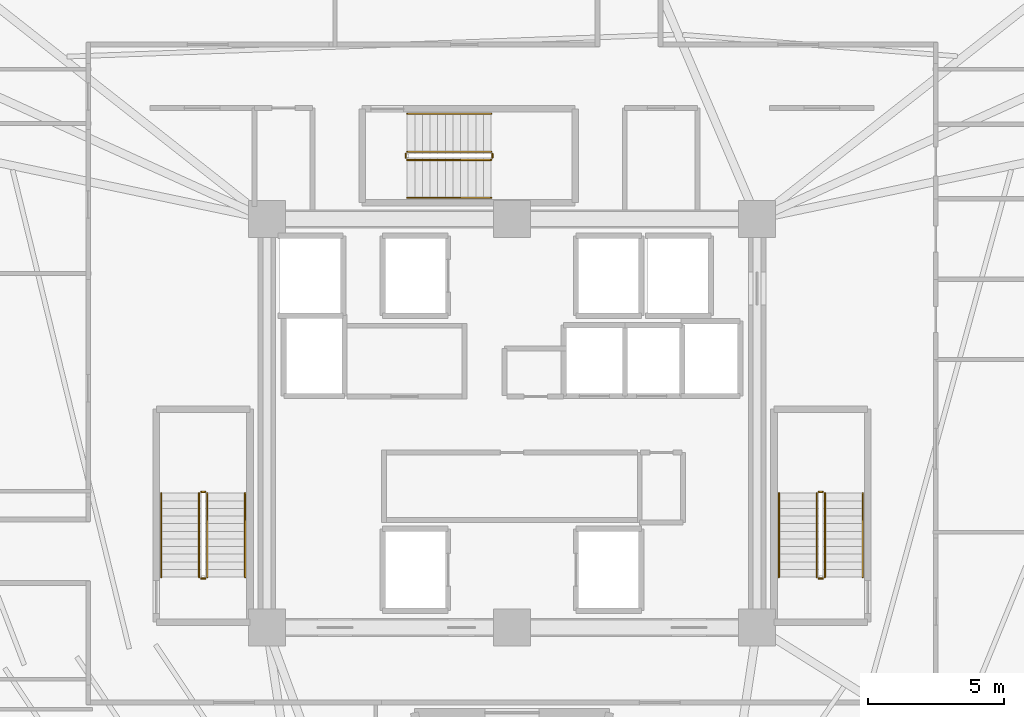
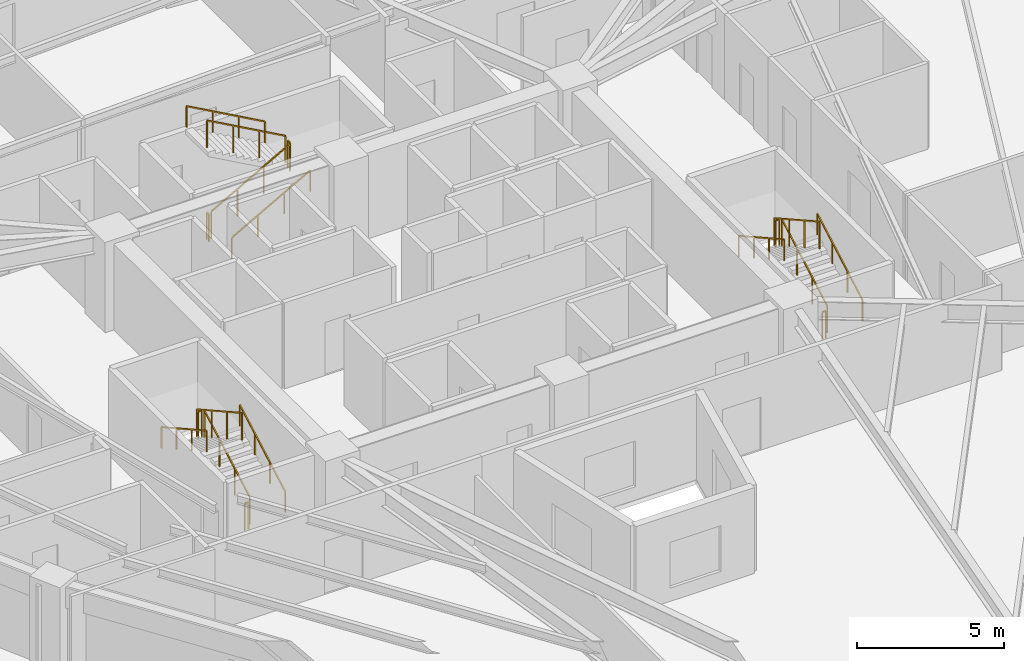
# One storey, part 8 of 8: 18 railings.
"""IFC4 building model written with IfcOpenShell, lengths in metres."""

import ifcopenshell
import ifcopenshell.guid

model = None  # the IFC model being written
_history = None  # IfcOwnerHistory: only IFC2X3 demands one
_inside = {}  # id of a spatial element -> (the spatial element, [elements in it])
_under = {}  # id of a project, library or spatial element -> (it, [spatial elements below it])
_declared = {}  # id of a project -> (the project, [libraries it declares])
_typed = {}  # id of a type object -> (the type object, [elements of that type])
_made_of = {}  # id of a material, layer set ... -> (it, [elements and type objects made of it])


def new_model(schema):
    """Start an empty IFC model of exactly this schema.

    Asked for "IFC4X3", IfcOpenShell would pick the latest addendum, in which some entities
    have other attributes; the version numbers below select the first issue.
    IFC2X3 requires an IfcOwnerHistory on every rooted entity: one is made here for all.
    """
    global model, _history
    if schema == "IFC4X3":
        model = ifcopenshell.file(schema_version=(4, 3, 0, 0))
    else:
        model = ifcopenshell.file(schema=schema)
    _inside.clear()
    _under.clear()
    _declared.clear()
    _typed.clear()
    _made_of.clear()
    _history = None
    if model.schema == "IFC2X3":
        org = make("IfcOrganization", Name="unknown")
        user = make(
            "IfcPersonAndOrganization",
            ThePerson=make("IfcPerson", FamilyName="unknown"),
            TheOrganization=org,
        )
        app = make(
            "IfcApplication",
            ApplicationDeveloper=org,
            Version="unknown",
            ApplicationFullName="unknown",
            ApplicationIdentifier="unknown",
        )
        _history = make(
            "IfcOwnerHistory",
            OwningUser=user,
            OwningApplication=app,
            ChangeAction="ADDED",
            CreationDate=0,
        )
    return model


def make(cls, **values):
    """One entity of the class cls with the attributes given. An attribute that is None is left unset."""
    return model.create_entity(
        cls, **{name: value for name, value in values.items() if value is not None}
    )


def rooted(cls, **values):
    """An entity with a GlobalId (a new one), such as an element, a storey or a relation."""
    return make(cls, GlobalId=ifcopenshell.guid.new(), OwnerHistory=_history, **values)


def si_unit(unit_type, name, prefix=None):
    """IfcSIUnit, for example si_unit("LENGTHUNIT", "METRE", prefix="MILLI")."""
    return make("IfcSIUnit", UnitType=unit_type, Prefix=prefix, Name=name)


def assignment(units):
    """IfcUnitAssignment: the units of a project."""
    return None if units is None else make("IfcUnitAssignment", Units=units)


def point(xyz):
    """IfcCartesianPoint."""
    return None if xyz is None else make("IfcCartesianPoint", Coordinates=xyz)


def direction(xyz):
    """IfcDirection."""
    return None if xyz is None else make("IfcDirection", DirectionRatios=xyz)


def frame(location, z_axis=None, x_axis=None):
    """IfcAxis2Placement3D, a coordinate frame: its origin and axes. An axis left out is left unset."""
    return make(
        "IfcAxis2Placement3D",
        Location=point(location),
        Axis=direction(z_axis),
        RefDirection=direction(x_axis),
    )


def frame_2d(location, x_axis=None):
    """IfcAxis2Placement2D, a coordinate frame in the plane: its origin and x axis."""
    return make(
        "IfcAxis2Placement2D", Location=point(location), RefDirection=direction(x_axis)
    )


def origin():
    """The frame at (0, 0, 0) with its axes left unset."""
    return frame((0.0, 0.0, 0.0))


def origin_2d():
    """The frame at (0, 0) in the plane with its x axis left unset."""
    return frame_2d((0.0, 0.0))


def place(relative_to, where):
    """IfcLocalPlacement: puts the frame where relative to a parent placement (None: the world)."""
    return make(
        "IfcLocalPlacement", PlacementRelTo=relative_to, RelativePlacement=where
    )


def context(
    kind, dimensions, precision=None, world=None, true_north=None, identifier=None
):
    """IfcGeometricRepresentationContext, for example the 3D "Model" context."""
    return make(
        "IfcGeometricRepresentationContext",
        ContextIdentifier=identifier,
        ContextType=kind,
        CoordinateSpaceDimension=dimensions,
        Precision=precision,
        WorldCoordinateSystem=world,
        TrueNorth=true_north,
    )


def subcontext(parent, identifier, kind, view, scale=None):
    """IfcGeometricRepresentationSubContext, for example "Body" below "Model"."""
    return make(
        "IfcGeometricRepresentationSubContext",
        ContextIdentifier=identifier,
        ContextType=kind,
        ParentContext=parent,
        TargetScale=scale,
        TargetView=view,
    )


def project(units=None, contexts=None):
    """IfcProject with its units and contexts."""
    return rooted(
        "IfcProject",
        Name="project",
        RepresentationContexts=contexts,
        UnitsInContext=assignment(units),
    )


def spatial(cls, under=None, at=None, **own):
    """A site, building, storey or space (cls), placed at a placement, below another one or the project."""
    s = rooted(cls, ObjectPlacement=at, **own)
    if under is not None:
        _under.setdefault(under.id(), (under, []))[1].append(s)
    return s


def profile(cls, at=None, kind="AREA", **sizes):
    """A parametric profile (cls). Its sizes go by their IFC names, for example OverallWidth=200.0."""
    return make(cls, ProfileType=kind, Position=at, **sizes)


def rectangle(**sizes):
    """IfcRectangleProfileDef."""
    return profile("IfcRectangleProfileDef", **sizes)


def extrude(swept, where, along, depth):
    """IfcExtrudedAreaSolid: the profile swept, set in the frame where, extruded along a direction by depth."""
    return make(
        "IfcExtrudedAreaSolid",
        SweptArea=swept,
        Position=where,
        ExtrudedDirection=direction(along),
        Depth=depth,
    )


def shape(context_of_items, identifier, shape_type, items):
    """IfcShapeRepresentation: the items that make up one representation, for example the "Body"."""
    return make(
        "IfcShapeRepresentation",
        ContextOfItems=context_of_items,
        RepresentationIdentifier=identifier,
        RepresentationType=shape_type,
        Items=items,
    )


def material(Name=None, Category=None):
    """IfcMaterial."""
    return make("IfcMaterial", Name=Name, Category=Category)


def made_of(thing, what):
    """Note that an element or type object is made of a material, layer set ...; save() writes the relation."""
    if what is not None:
        _made_of.setdefault(what.id(), (what, []))[1].append(thing)
    return thing


def type_object(cls, material=None, **own):
    """A type object (cls), such as IfcWallType, which elements share."""
    return made_of(rooted(cls, **own), material)


def element(
    cls,
    number,
    at=None,
    inside=None,
    cuts=None,
    type_object=None,
    material=None,
    context=None,
    identifier="Body",
    shape_type=None,
    held_by="IfcProductDefinitionShape",
    body=None,
    shapes=None,
    **own,
):
    """One element of the class cls, such as IfcWall. Its Tag is "e" and its number.

    at: its placement. inside: the storey or other place that contains it. cuts: it is an
    opening in that element (IfcRelVoidsElement). A single representation is given by context,
    identifier, shape_type and body (its items); several are given by shapes. held_by: the class
    of the entity that holds the representations. save() writes the other relations.
    """
    e = rooted(cls, Tag="e%d" % number, ObjectPlacement=at, **own)
    if body is not None:
        shapes = [shape(context, identifier, shape_type, body)]
    if shapes is not None:
        e.Representation = make(held_by, Representations=shapes)
    if inside is not None:
        _inside.setdefault(inside.id(), (inside, []))[1].append(e)
    if cuts is not None:
        rooted(
            "IfcRelVoidsElement", RelatingBuildingElement=cuts, RelatedOpeningElement=e
        )
    if type_object is not None:
        _typed.setdefault(type_object.id(), (type_object, []))[1].append(e)
    return made_of(e, material)


def aggregate(whole, parts):
    """IfcRelAggregates: a whole, such as a stair, and the parts it consists of."""
    return rooted("IfcRelAggregates", RelatingObject=whole, RelatedObjects=parts)


def save(model, path):
    """Write the relations noted so far, then the file.

    IfcRelAggregates (storeys below a building ...), IfcRelContainedInSpatialStructure (elements
    in a storey), IfcRelDefinesByType, IfcRelAssociatesMaterial and IfcRelDeclares: one each for
    every whole, place, type object, material and project.
    """
    for whole, parts in _under.values():
        aggregate(whole, parts)
    for where, things in _inside.values():
        rooted(
            "IfcRelContainedInSpatialStructure",
            RelatedElements=things,
            RelatingStructure=where,
        )
    for kind, things in _typed.values():
        rooted("IfcRelDefinesByType", RelatedObjects=things, RelatingType=kind)
    for what, things in _made_of.values():
        rooted("IfcRelAssociatesMaterial", RelatedObjects=things, RelatingMaterial=what)
    for by, libraries in _declared.values():
        rooted("IfcRelDeclares", RelatingContext=by, RelatedDefinitions=libraries)
    model.write(path)


model = new_model("IFC4")

# Units and contexts
model_context = context("Model", 3, precision=1e-05, world=origin(), true_north=direction((0.0, 1.0)))
body_context = subcontext(model_context, "Body", "Model", "MODEL_VIEW")
ifc_project = project(units=[si_unit("LENGTHUNIT", "METRE"), si_unit("AREAUNIT", "SQUARE_METRE"), si_unit("VOLUMEUNIT", "CUBIC_METRE"), si_unit("PLANEANGLEUNIT", "RADIAN"), si_unit("MASSUNIT", "GRAM", prefix="KILO")], contexts=[model_context])

# Site, building, storey
site_placement = place(None, origin())
site = spatial("IfcSite", under=ifc_project, at=site_placement, CompositionType="ELEMENT")
building_placement = place(site_placement, origin())
building = spatial("IfcBuilding", under=site, at=building_placement, Name="Liaohun Quay Tower", CompositionType="ELEMENT")
storey_placement = place(building_placement, frame((0.0, 0.0, 270.0)))
storey = spatial("IfcBuildingStorey", under=building, at=storey_placement, Name="L70", CompositionType="ELEMENT", Elevation=270.0)

# Railings
ifc_material_1 = material(Name="Painted tubular steel", Category="steel")
railing_type_1 = type_object("IfcRailingType", Name="RLG-GUARD-STR", PredefinedType="GUARDRAIL", material=ifc_material_1)
railing_1_placement = place(storey_placement, frame((48.81005859375, 48.35009765625, 0.15625)))
element("IfcRailing", 1, at=railing_1_placement, inside=storey, type_object=railing_type_1, Name="L70 ST-1 stair guard 1", PredefinedType="GUARDRAIL", context=body_context, shape_type="SweptSolid", body=[
    extrude(rectangle(XDim=0.048095703125, YDim=0.048095703125, at=origin_2d()), frame((0.0, 0.0, 1.1259765625), z_axis=(0.0, 0.873225103656, 0.487317061414), x_axis=(-1.0, 0.0, 0.0)), (0.0, 0.0, 1.0), 3.52685546875),
    extrude(rectangle(XDim=0.0419921875, YDim=0.0419921875, at=origin_2d()), origin(), (0.0, 0.0, 1.0), 1.101806640625),
    extrude(rectangle(XDim=0.0419921875, YDim=0.0419921875, at=origin_2d()), frame((0.0, 1.026611328125, 0.572998046875)), (0.0, 0.0, 1.0), 1.101806640625),
    extrude(rectangle(XDim=0.0419921875, YDim=0.0419921875, at=origin_2d()), frame((0.0, 2.05322265625, 1.145751953125)), (0.0, 0.0, 1.0), 1.101806640625),
    extrude(rectangle(XDim=0.0419921875, YDim=0.0419921875, at=origin_2d()), frame((0.0, 3.079833984375, 1.71875)), (0.0, 0.0, 1.0), 1.101806640625),
])
railing_2_placement = place(storey_placement, frame((48.72998046875, 51.47998046875, 1.875)))
element("IfcRailing", 2, at=railing_2_placement, inside=storey, type_object=railing_type_1, Name="L70 ST-1 stair guard 2", PredefinedType="GUARDRAIL", context=body_context, shape_type="SweptSolid", body=[
    extrude(rectangle(XDim=0.048095703125, YDim=0.048095703125, at=origin_2d()), frame((0.0, 0.0, 1.1259765625), z_axis=(-1.0, 0.0, 0.0), x_axis=(0.0, -1.0, 0.0)), (0.0, 0.0, 1.0), 0.139892578125),
    extrude(rectangle(XDim=0.0419921875, YDim=0.0419921875, at=origin_2d()), origin(), (0.0, 0.0, 1.0), 1.101806640625),
    extrude(rectangle(XDim=0.0419921875, YDim=0.0419921875, at=origin_2d()), frame((-0.139892578125, 0.0, 0.0)), (0.0, 0.0, 1.0), 1.101806640625),
])
railing_3_placement = place(storey_placement, frame((48.510009765625, 51.429931640625, 2.03125)))
element("IfcRailing", 3, at=railing_3_placement, inside=storey, type_object=railing_type_1, Name="L70 ST-1 stair guard 3", PredefinedType="GUARDRAIL", context=body_context, shape_type="SweptSolid", body=[
    extrude(rectangle(XDim=0.048095703125, YDim=0.048095703125, at=origin_2d()), frame((0.0, 0.0, 1.1259765625), z_axis=(0.0, -0.873225103656, 0.487317061414), x_axis=(1.0, 0.0, 0.0)), (0.0, 0.0, 1.0), 3.52685546875),
    extrude(rectangle(XDim=0.0419921875, YDim=0.0419921875, at=origin_2d()), origin(), (0.0, 0.0, 1.0), 1.101806640625),
    extrude(rectangle(XDim=0.0419921875, YDim=0.0419921875, at=origin_2d()), frame((0.0, -1.026611328125, 0.572998046875)), (0.0, 0.0, 1.0), 1.101806640625),
    extrude(rectangle(XDim=0.0419921875, YDim=0.0419921875, at=origin_2d()), frame((0.0, -2.05322265625, 1.145751953125)), (0.0, 0.0, 1.0), 1.101806640625),
    extrude(rectangle(XDim=0.0419921875, YDim=0.0419921875, at=origin_2d()), frame((0.0, -3.079833984375, 1.71875)), (0.0, 0.0, 1.0), 1.101806640625),
])
railing_4_placement = place(storey_placement, frame((48.72998046875, 48.300048828125, 0.0)))
element("IfcRailing", 4, at=railing_4_placement, inside=storey, type_object=railing_type_1, Name="L70 ST-1 stair guard 4", PredefinedType="GUARDRAIL", context=body_context, shape_type="SweptSolid", body=[
    extrude(rectangle(XDim=0.048095703125, YDim=0.048095703125, at=origin_2d()), frame((0.0, 0.0, 1.1259765625), z_axis=(-1.0, 0.0, 0.0), x_axis=(0.0, -1.0, 0.0)), (0.0, 0.0, 1.0), 0.139892578125),
    extrude(rectangle(XDim=0.0419921875, YDim=0.0419921875, at=origin_2d()), origin(), (0.0, 0.0, 1.0), 1.101806640625),
    extrude(rectangle(XDim=0.0419921875, YDim=0.0419921875, at=origin_2d()), frame((-0.139892578125, 0.0, 0.0)), (0.0, 0.0, 1.0), 1.101806640625),
])
railing_5_placement = place(storey_placement, frame((71.489990234375, 48.35009765625, 0.15625)))
element("IfcRailing", 5, at=railing_5_placement, inside=storey, type_object=railing_type_1, Name="L70 ST-2 stair guard 1", PredefinedType="GUARDRAIL", context=body_context, shape_type="SweptSolid", body=[
    extrude(rectangle(XDim=0.048095703125, YDim=0.048095703125, at=origin_2d()), frame((0.0, 0.0, 1.1259765625), z_axis=(0.0, 0.873225103656, 0.487317061414), x_axis=(-1.0, 0.0, 0.0)), (0.0, 0.0, 1.0), 3.52685546875),
    extrude(rectangle(XDim=0.0419921875, YDim=0.0419921875, at=origin_2d()), origin(), (0.0, 0.0, 1.0), 1.101806640625),
    extrude(rectangle(XDim=0.0419921875, YDim=0.0419921875, at=origin_2d()), frame((0.0, 1.026611328125, 0.572998046875)), (0.0, 0.0, 1.0), 1.101806640625),
    extrude(rectangle(XDim=0.0419921875, YDim=0.0419921875, at=origin_2d()), frame((0.0, 2.05322265625, 1.145751953125)), (0.0, 0.0, 1.0), 1.101806640625),
    extrude(rectangle(XDim=0.0419921875, YDim=0.0419921875, at=origin_2d()), frame((0.0, 3.079833984375, 1.71875)), (0.0, 0.0, 1.0), 1.101806640625),
])
railing_6_placement = place(storey_placement, frame((71.409912109375, 51.47998046875, 1.875)))
element("IfcRailing", 6, at=railing_6_placement, inside=storey, type_object=railing_type_1, Name="L70 ST-2 stair guard 2", PredefinedType="GUARDRAIL", context=body_context, shape_type="SweptSolid", body=[
    extrude(rectangle(XDim=0.048095703125, YDim=0.048095703125, at=origin_2d()), frame((0.0, 0.0, 1.1259765625), z_axis=(-1.0, 0.0, 0.0), x_axis=(0.0, -1.0, 0.0)), (0.0, 0.0, 1.0), 0.139892578125),
    extrude(rectangle(XDim=0.0419921875, YDim=0.0419921875, at=origin_2d()), origin(), (0.0, 0.0, 1.0), 1.101806640625),
    extrude(rectangle(XDim=0.0419921875, YDim=0.0419921875, at=origin_2d()), frame((-0.139892578125, 0.0, 0.0)), (0.0, 0.0, 1.0), 1.101806640625),
])
railing_7_placement = place(storey_placement, frame((71.18994140625, 51.429931640625, 2.03125)))
element("IfcRailing", 7, at=railing_7_placement, inside=storey, type_object=railing_type_1, Name="L70 ST-2 stair guard 3", PredefinedType="GUARDRAIL", context=body_context, shape_type="SweptSolid", body=[
    extrude(rectangle(XDim=0.048095703125, YDim=0.048095703125, at=origin_2d()), frame((0.0, 0.0, 1.1259765625), z_axis=(0.0, -0.873225103656, 0.487317061414), x_axis=(1.0, 0.0, 0.0)), (0.0, 0.0, 1.0), 3.52685546875),
    extrude(rectangle(XDim=0.0419921875, YDim=0.0419921875, at=origin_2d()), origin(), (0.0, 0.0, 1.0), 1.101806640625),
    extrude(rectangle(XDim=0.0419921875, YDim=0.0419921875, at=origin_2d()), frame((0.0, -1.026611328125, 0.572998046875)), (0.0, 0.0, 1.0), 1.101806640625),
    extrude(rectangle(XDim=0.0419921875, YDim=0.0419921875, at=origin_2d()), frame((0.0, -2.05322265625, 1.145751953125)), (0.0, 0.0, 1.0), 1.101806640625),
    extrude(rectangle(XDim=0.0419921875, YDim=0.0419921875, at=origin_2d()), frame((0.0, -3.079833984375, 1.71875)), (0.0, 0.0, 1.0), 1.101806640625),
])
railing_8_placement = place(storey_placement, frame((71.409912109375, 48.300048828125, 0.0)))
element("IfcRailing", 8, at=railing_8_placement, inside=storey, type_object=railing_type_1, Name="L70 ST-2 stair guard 4", PredefinedType="GUARDRAIL", context=body_context, shape_type="SweptSolid", body=[
    extrude(rectangle(XDim=0.048095703125, YDim=0.048095703125, at=origin_2d()), frame((0.0, 0.0, 1.1259765625), z_axis=(-1.0, 0.0, 0.0), x_axis=(0.0, -1.0, 0.0)), (0.0, 0.0, 1.0), 0.139892578125),
    extrude(rectangle(XDim=0.0419921875, YDim=0.0419921875, at=origin_2d()), origin(), (0.0, 0.0, 1.0), 1.101806640625),
    extrude(rectangle(XDim=0.0419921875, YDim=0.0419921875, at=origin_2d()), frame((-0.139892578125, 0.0, 0.0)), (0.0, 0.0, 1.0), 1.101806640625),
])
railing_9_placement = place(storey_placement, frame((56.14990234375, 63.669921875, 0.15625)))
element("IfcRailing", 9, at=railing_9_placement, inside=storey, type_object=railing_type_1, Name="L70 ST-3 stair guard 1", PredefinedType="GUARDRAIL", context=body_context, shape_type="SweptSolid", body=[
    extrude(rectangle(XDim=0.048095703125, YDim=0.048095703125, at=origin_2d()), frame((0.0, 0.0, 1.1259765625), z_axis=(0.873241540666, 0.0, 0.487287606713), x_axis=(0.0, 1.0, 0.0)), (0.0, 0.0, 1.0), 3.527099609375),
    extrude(rectangle(XDim=0.0419921875, YDim=0.0419921875, at=origin_2d()), origin(), (0.0, 0.0, 1.0), 1.101806640625),
    extrude(rectangle(XDim=0.0419921875, YDim=0.0419921875, at=origin_2d()), frame((1.026611328125, 0.0, 0.572998046875)), (0.0, 0.0, 1.0), 1.101806640625),
    extrude(rectangle(XDim=0.0419921875, YDim=0.0419921875, at=origin_2d()), frame((2.053466796875, 0.0, 1.145751953125)), (0.0, 0.0, 1.0), 1.101806640625),
    extrude(rectangle(XDim=0.0419921875, YDim=0.0419921875, at=origin_2d()), frame((3.080078125, 0.0, 1.71875)), (0.0, 0.0, 1.0), 1.101806640625),
])
railing_10_placement = place(storey_placement, frame((59.280029296875, 63.75, 1.875)))
element("IfcRailing", 10, at=railing_10_placement, inside=storey, type_object=railing_type_1, Name="L70 ST-3 stair guard 2", PredefinedType="GUARDRAIL", context=body_context, shape_type="SweptSolid", body=[
    extrude(rectangle(XDim=0.048095703125, YDim=0.048095703125, at=origin_2d()), frame((0.0, 0.0, 1.1259765625), z_axis=(0.0, 1.0, 0.0), x_axis=(-1.0, 0.0, 0.0)), (0.0, 0.0, 1.0), 0.139892578125),
    extrude(rectangle(XDim=0.0419921875, YDim=0.0419921875, at=origin_2d()), origin(), (0.0, 0.0, 1.0), 1.101806640625),
    extrude(rectangle(XDim=0.0419921875, YDim=0.0419921875, at=origin_2d()), frame((0.0, 0.139892578125, 0.0)), (0.0, 0.0, 1.0), 1.101806640625),
])
railing_11_placement = place(storey_placement, frame((59.22998046875, 63.969970703125, 2.03125)))
element("IfcRailing", 11, at=railing_11_placement, inside=storey, type_object=railing_type_1, Name="L70 ST-3 stair guard 3", PredefinedType="GUARDRAIL", context=body_context, shape_type="SweptSolid", body=[
    extrude(rectangle(XDim=0.048095703125, YDim=0.048095703125, at=origin_2d()), frame((0.0, 0.0, 1.1259765625), z_axis=(-0.873241540666, 0.0, 0.487287606713), x_axis=(0.0, -1.0, 0.0)), (0.0, 0.0, 1.0), 3.527099609375),
    extrude(rectangle(XDim=0.0419921875, YDim=0.0419921875, at=origin_2d()), origin(), (0.0, 0.0, 1.0), 1.101806640625),
    extrude(rectangle(XDim=0.0419921875, YDim=0.0419921875, at=origin_2d()), frame((-1.026611328125, 0.0, 0.572998046875)), (0.0, 0.0, 1.0), 1.101806640625),
    extrude(rectangle(XDim=0.0419921875, YDim=0.0419921875, at=origin_2d()), frame((-2.053466796875, 0.0, 1.145751953125)), (0.0, 0.0, 1.0), 1.101806640625),
    extrude(rectangle(XDim=0.0419921875, YDim=0.0419921875, at=origin_2d()), frame((-3.080078125, 0.0, 1.71875)), (0.0, 0.0, 1.0), 1.101806640625),
])
railing_12_placement = place(storey_placement, frame((56.10009765625, 63.75, 0.0)))
element("IfcRailing", 12, at=railing_12_placement, inside=storey, type_object=railing_type_1, Name="L70 ST-3 stair guard 4", PredefinedType="GUARDRAIL", context=body_context, shape_type="SweptSolid", body=[
    extrude(rectangle(XDim=0.048095703125, YDim=0.048095703125, at=origin_2d()), frame((0.0, 0.0, 1.1259765625), z_axis=(0.0, 1.0, 0.0), x_axis=(-1.0, 0.0, 0.0)), (0.0, 0.0, 1.0), 0.139892578125),
    extrude(rectangle(XDim=0.0419921875, YDim=0.0419921875, at=origin_2d()), origin(), (0.0, 0.0, 1.0), 1.101806640625),
    extrude(rectangle(XDim=0.0419921875, YDim=0.0419921875, at=origin_2d()), frame((0.0, 0.139892578125, 0.0)), (0.0, 0.0, 1.0), 1.101806640625),
])
ifc_material_2 = material(Name="Brushed stainless steel", Category="steel")
railing_type_2 = type_object("IfcRailingType", Name="RLG-HND-STR", PredefinedType="HANDRAIL", material=ifc_material_2)
railing_13_placement = place(storey_placement, frame((50.199951171875, 48.35009765625, 0.15625)))
element("IfcRailing", 13, at=railing_13_placement, inside=storey, type_object=railing_type_2, Name="L70 ST-1 stair handrail 1", PredefinedType="HANDRAIL", context=body_context, shape_type="SweptSolid", body=[
    extrude(rectangle(XDim=0.048095703125, YDim=0.048095703125, at=origin_2d()), frame((0.0, 0.0, 0.8759765625), z_axis=(0.0, 0.873225103656, 0.487317061414), x_axis=(-1.0, 0.0, 0.0)), (0.0, 0.0, 1.0), 3.52685546875),
    extrude(rectangle(XDim=0.0419921875, YDim=0.0419921875, at=origin_2d()), origin(), (0.0, 0.0, 1.0), 0.851806640625),
    extrude(rectangle(XDim=0.0419921875, YDim=0.0419921875, at=origin_2d()), frame((0.0, 1.026611328125, 0.572998046875)), (0.0, 0.0, 1.0), 0.851806640625),
    extrude(rectangle(XDim=0.0419921875, YDim=0.0419921875, at=origin_2d()), frame((0.0, 2.05322265625, 1.145751953125)), (0.0, 0.0, 1.0), 0.851806640625),
    extrude(rectangle(XDim=0.0419921875, YDim=0.0419921875, at=origin_2d()), frame((0.0, 3.079833984375, 1.71875)), (0.0, 0.0, 1.0), 0.851806640625),
])
railing_14_placement = place(storey_placement, frame((47.1201171875, 51.429931640625, 2.03125)))
element("IfcRailing", 14, at=railing_14_placement, inside=storey, type_object=railing_type_2, Name="L70 ST-1 stair handrail 2", PredefinedType="HANDRAIL", context=body_context, shape_type="SweptSolid", body=[
    extrude(rectangle(XDim=0.048095703125, YDim=0.048095703125, at=origin_2d()), frame((0.0, 0.0, 0.8759765625), z_axis=(0.0, -0.873225103656, 0.487317061414), x_axis=(1.0, 0.0, 0.0)), (0.0, 0.0, 1.0), 3.52685546875),
    extrude(rectangle(XDim=0.0419921875, YDim=0.0419921875, at=origin_2d()), origin(), (0.0, 0.0, 1.0), 0.851806640625),
    extrude(rectangle(XDim=0.0419921875, YDim=0.0419921875, at=origin_2d()), frame((0.0, -1.026611328125, 0.572998046875)), (0.0, 0.0, 1.0), 0.851806640625),
    extrude(rectangle(XDim=0.0419921875, YDim=0.0419921875, at=origin_2d()), frame((0.0, -2.05322265625, 1.145751953125)), (0.0, 0.0, 1.0), 0.851806640625),
    extrude(rectangle(XDim=0.0419921875, YDim=0.0419921875, at=origin_2d()), frame((0.0, -3.079833984375, 1.71875)), (0.0, 0.0, 1.0), 0.851806640625),
])
railing_15_placement = place(storey_placement, frame((72.8798828125, 48.35009765625, 0.15625)))
element("IfcRailing", 15, at=railing_15_placement, inside=storey, type_object=railing_type_2, Name="L70 ST-2 stair handrail 1", PredefinedType="HANDRAIL", context=body_context, shape_type="SweptSolid", body=[
    extrude(rectangle(XDim=0.048095703125, YDim=0.048095703125, at=origin_2d()), frame((0.0, 0.0, 0.8759765625), z_axis=(0.0, 0.873225103656, 0.487317061414), x_axis=(-1.0, 0.0, 0.0)), (0.0, 0.0, 1.0), 3.52685546875),
    extrude(rectangle(XDim=0.0419921875, YDim=0.0419921875, at=origin_2d()), origin(), (0.0, 0.0, 1.0), 0.851806640625),
    extrude(rectangle(XDim=0.0419921875, YDim=0.0419921875, at=origin_2d()), frame((0.0, 1.026611328125, 0.572998046875)), (0.0, 0.0, 1.0), 0.851806640625),
    extrude(rectangle(XDim=0.0419921875, YDim=0.0419921875, at=origin_2d()), frame((0.0, 2.05322265625, 1.145751953125)), (0.0, 0.0, 1.0), 0.851806640625),
    extrude(rectangle(XDim=0.0419921875, YDim=0.0419921875, at=origin_2d()), frame((0.0, 3.079833984375, 1.71875)), (0.0, 0.0, 1.0), 0.851806640625),
])
railing_16_placement = place(storey_placement, frame((69.800048828125, 51.429931640625, 2.03125)))
element("IfcRailing", 16, at=railing_16_placement, inside=storey, type_object=railing_type_2, Name="L70 ST-2 stair handrail 2", PredefinedType="HANDRAIL", context=body_context, shape_type="SweptSolid", body=[
    extrude(rectangle(XDim=0.048095703125, YDim=0.048095703125, at=origin_2d()), frame((0.0, 0.0, 0.8759765625), z_axis=(0.0, -0.873225103656, 0.487317061414), x_axis=(1.0, 0.0, 0.0)), (0.0, 0.0, 1.0), 3.52685546875),
    extrude(rectangle(XDim=0.0419921875, YDim=0.0419921875, at=origin_2d()), origin(), (0.0, 0.0, 1.0), 0.851806640625),
    extrude(rectangle(XDim=0.0419921875, YDim=0.0419921875, at=origin_2d()), frame((0.0, -1.026611328125, 0.572998046875)), (0.0, 0.0, 1.0), 0.851806640625),
    extrude(rectangle(XDim=0.0419921875, YDim=0.0419921875, at=origin_2d()), frame((0.0, -2.05322265625, 1.145751953125)), (0.0, 0.0, 1.0), 0.851806640625),
    extrude(rectangle(XDim=0.0419921875, YDim=0.0419921875, at=origin_2d()), frame((0.0, -3.079833984375, 1.71875)), (0.0, 0.0, 1.0), 0.851806640625),
])
railing_17_placement = place(storey_placement, frame((56.14990234375, 62.280029296875, 0.15625)))
element("IfcRailing", 17, at=railing_17_placement, inside=storey, type_object=railing_type_2, Name="L70 ST-3 stair handrail 1", PredefinedType="HANDRAIL", context=body_context, shape_type="SweptSolid", body=[
    extrude(rectangle(XDim=0.048095703125, YDim=0.048095703125, at=origin_2d()), frame((0.0, 0.0, 0.8759765625), z_axis=(0.873241540666, 0.0, 0.487287606713), x_axis=(0.0, 1.0, 0.0)), (0.0, 0.0, 1.0), 3.527099609375),
    extrude(rectangle(XDim=0.0419921875, YDim=0.0419921875, at=origin_2d()), origin(), (0.0, 0.0, 1.0), 0.851806640625),
    extrude(rectangle(XDim=0.0419921875, YDim=0.0419921875, at=origin_2d()), frame((1.026611328125, 0.0, 0.572998046875)), (0.0, 0.0, 1.0), 0.851806640625),
    extrude(rectangle(XDim=0.0419921875, YDim=0.0419921875, at=origin_2d()), frame((2.053466796875, 0.0, 1.145751953125)), (0.0, 0.0, 1.0), 0.851806640625),
    extrude(rectangle(XDim=0.0419921875, YDim=0.0419921875, at=origin_2d()), frame((3.080078125, 0.0, 1.71875)), (0.0, 0.0, 1.0), 0.851806640625),
])
railing_18_placement = place(storey_placement, frame((59.22998046875, 65.360107421875, 2.03125)))
element("IfcRailing", 18, at=railing_18_placement, inside=storey, type_object=railing_type_2, Name="L70 ST-3 stair handrail 2", PredefinedType="HANDRAIL", context=body_context, shape_type="SweptSolid", body=[
    extrude(rectangle(XDim=0.048095703125, YDim=0.048095703125, at=origin_2d()), frame((0.0, 0.0, 0.8759765625), z_axis=(-0.873241540666, 0.0, 0.487287606713), x_axis=(0.0, -1.0, 0.0)), (0.0, 0.0, 1.0), 3.527099609375),
    extrude(rectangle(XDim=0.0419921875, YDim=0.0419921875, at=origin_2d()), origin(), (0.0, 0.0, 1.0), 0.851806640625),
    extrude(rectangle(XDim=0.0419921875, YDim=0.0419921875, at=origin_2d()), frame((-1.026611328125, 0.0, 0.572998046875)), (0.0, 0.0, 1.0), 0.851806640625),
    extrude(rectangle(XDim=0.0419921875, YDim=0.0419921875, at=origin_2d()), frame((-2.053466796875, 0.0, 1.145751953125)), (0.0, 0.0, 1.0), 0.851806640625),
    extrude(rectangle(XDim=0.0419921875, YDim=0.0419921875, at=origin_2d()), frame((-3.080078125, 0.0, 1.71875)), (0.0, 0.0, 1.0), 0.851806640625),
])

save(model, "model.ifc")
